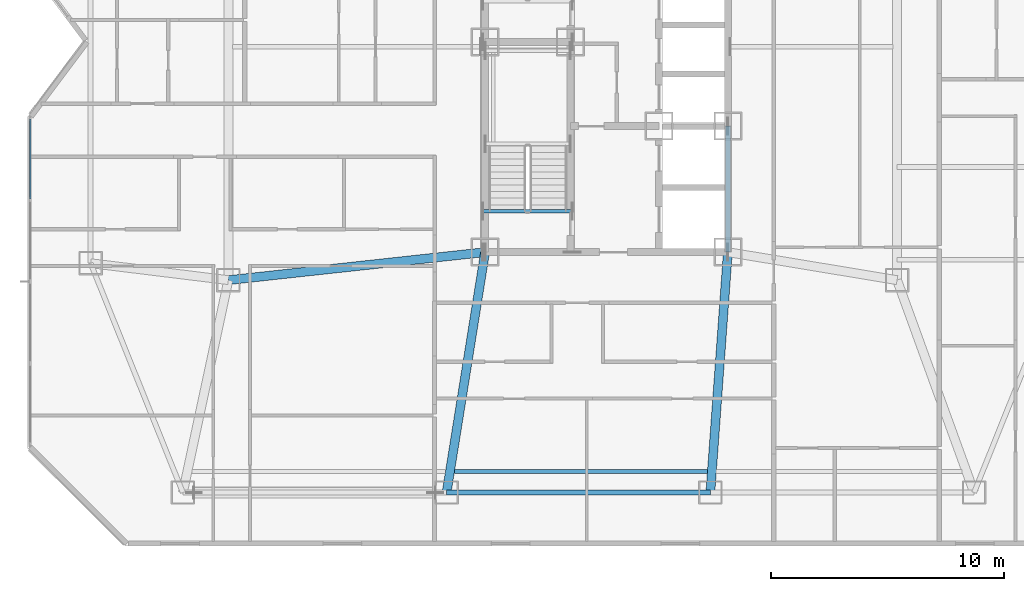
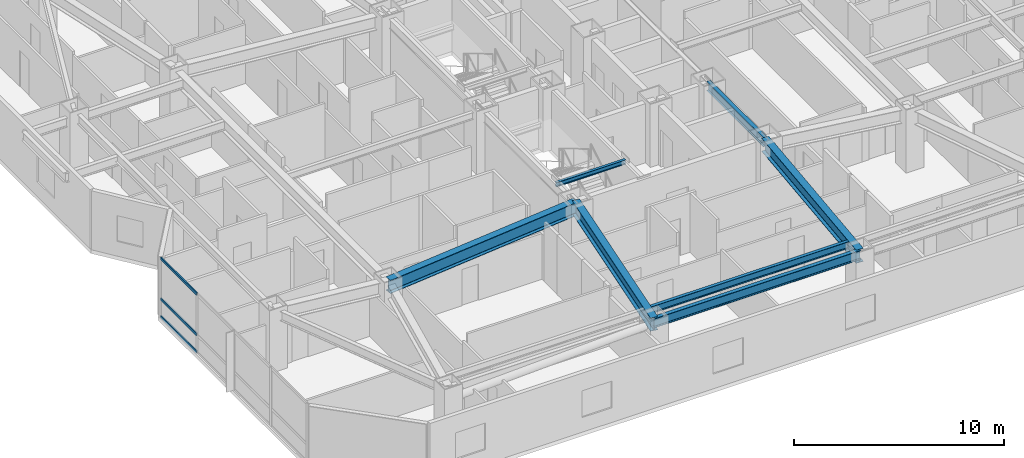
# One storey, part 5 of 19: 7 beams, 3 members, 1 element without a shape of its own.
"""IFC4 building model written with IfcOpenShell, lengths in metres."""

from ifc_helpers import new_model, si_unit, direction, frame, origin, origin_2d, place, context, subcontext, project, spatial, hollow_rectangle, i_section, extrude, material, material_profile, profile_set, type_object, element, aggregate, save


model = new_model("IFC4")

# Units and contexts
model_context = context("Model", 3, precision=1e-05, world=origin(), true_north=direction((0.0, 1.0)))
body_context = subcontext(model_context, "Body", "Model", "MODEL_VIEW")
ifc_project = project(units=[si_unit("LENGTHUNIT", "METRE"), si_unit("AREAUNIT", "SQUARE_METRE"), si_unit("VOLUMEUNIT", "CUBIC_METRE"), si_unit("PLANEANGLEUNIT", "RADIAN"), si_unit("MASSUNIT", "GRAM", prefix="KILO")], contexts=[model_context])

# Site, building, storey
site_placement = place(None, origin())
site = spatial("IfcSite", under=ifc_project, at=site_placement, CompositionType="ELEMENT")
building_placement = place(site_placement, origin())
building = spatial("IfcBuilding", under=site, at=building_placement, Name="Khamvora Tower", CompositionType="ELEMENT")
storey_placement = place(building_placement, frame((0.0, 0.0, 120.14990234375)))
storey = spatial("IfcBuildingStorey", under=building, at=storey_placement, Name="L30", CompositionType="ELEMENT", Elevation=120.14990234375)

# Beams
ifc_material_1 = material(Name="Steel S355", Category="steel")
ifc_material_profile_1 = material_profile(ifc_material_1, i_section(OverallWidth=0.177978515625, OverallDepth=0.406982421875, WebThickness=0.008056640625, FlangeThickness=0.012939453125, FilletRadius=0.010009765625, at=origin_2d()), Name="W410x60")
ifc_profile_set_1 = profile_set([ifc_material_profile_1], Name="Steel S355")
beam_type_1 = type_object("IfcBeamType", Name="BM-JS-W410x60", PredefinedType="JOIST", material=ifc_profile_set_1)
beam_1_placement = place(storey_placement, frame((27.681884765625, 9.60009765625, 3.22607421875), z_axis=(1.0, 0.0, 0.0), x_axis=(0.0, 1.0, 0.0)))
element("IfcBeam", 1, at=beam_1_placement, inside=storey, type_object=beam_type_1, Name="L30 secondary floor joist 02", PredefinedType="JOIST", context=body_context, shape_type="SweptSolid", body=[
    extrude(i_section(OverallWidth=0.177978515625, OverallDepth=0.406982421875, WebThickness=0.008056640625, FlangeThickness=0.012939453125, FilletRadius=0.010009765625, at=origin_2d()), origin(), (0.0, 0.0, 1.0), 10.84814453125),
])
ifc_material_profile_2 = material_profile(ifc_material_1, i_section(OverallWidth=0.14697265625, OverallDepth=0.261962890625, WebThickness=0.007080078125, FlangeThickness=0.010986328125, FilletRadius=0.008056640625, at=origin_2d()), Name="W250x39")
ifc_profile_set_2 = profile_set([ifc_material_profile_2], Name="Steel S355")
beam_type_2 = type_object("IfcBeamType", Name="BM-LN-W250x39", PredefinedType="LINTEL", material=ifc_profile_set_2)
beam_2_placement = place(storey_placement, frame((28.89990234375, 20.75, 3.30419921875), z_axis=(1.0, 0.0, 0.0), x_axis=(0.0, 1.0, 0.0)))
element("IfcBeam", 2, at=beam_2_placement, inside=storey, type_object=beam_type_2, Name="L30 exit stair ST-01 landing trimmer beam", PredefinedType="LINTEL", context=body_context, shape_type="SweptSolid", body=[
    extrude(i_section(OverallWidth=0.14697265625, OverallDepth=0.261962890625, WebThickness=0.007080078125, FlangeThickness=0.010986328125, FilletRadius=0.008056640625, at=origin_2d()), origin(), (0.0, 0.0, 1.0), 3.830078125),
])
ifc_material_profile_3 = material_profile(ifc_material_1, i_section(OverallWidth=0.381103515625, OverallDepth=0.77294921875, WebThickness=0.01708984375, FlangeThickness=0.027099609375, FilletRadius=0.01806640625, at=origin_2d()), Name="W760x257")
ifc_profile_set_3 = profile_set([ifc_material_profile_3], Name="Steel S355")
beam_type_3 = type_object("IfcBeamType", Name="BM-PG-W760x257", PredefinedType="BEAM", material=ifc_profile_set_3)
beam_3_placement = place(storey_placement, frame((29.0, 19.0, 3.044189453125), z_axis=(-0.158167584066, -0.987412282358, 0.0), x_axis=(0.987412282358, -0.158167584066, 0.0)))
element("IfcBeam", 3, at=beam_3_placement, inside=storey, type_object=beam_type_3, Name="L30 primary floor girder S2", PredefinedType="BEAM", context=body_context, shape_type="SweptSolid", body=[
    extrude(i_section(OverallWidth=0.381103515625, OverallDepth=0.77294921875, WebThickness=0.01708984375, FlangeThickness=0.027099609375, FilletRadius=0.01806640625, at=origin_2d()), origin(), (0.0, 0.0, 1.0), 10.431396484375),
])
beam_4_placement = place(storey_placement, frame((39.39990234375, 19.0, 3.044189453125), z_axis=(-0.07262291808, -0.997359469685, 0.0), x_axis=(0.997359469685, -0.07262291808, 0.0)))
element("IfcBeam", 4, at=beam_4_placement, inside=storey, type_object=beam_type_3, Name="L30 primary floor girder S3", PredefinedType="BEAM", context=body_context, shape_type="SweptSolid", body=[
    extrude(i_section(OverallWidth=0.381103515625, OverallDepth=0.77294921875, WebThickness=0.01708984375, FlangeThickness=0.027099609375, FilletRadius=0.01806640625, at=origin_2d()), origin(), (0.0, 0.0, 1.0), 10.327392578125),
])
beam_5_placement = place(storey_placement, frame((29.0, 19.0, 3.044189453125), z_axis=(-0.994102652327, -0.108443149329, 0.0), x_axis=(0.108443149329, -0.994102652327, 0.0)))
element("IfcBeam", 5, at=beam_5_placement, inside=storey, type_object=beam_type_3, Name="L30 primary floor girder MW1", PredefinedType="BEAM", context=body_context, shape_type="SweptSolid", body=[
    extrude(i_section(OverallWidth=0.381103515625, OverallDepth=0.77294921875, WebThickness=0.01708984375, FlangeThickness=0.027099609375, FilletRadius=0.01806640625, at=origin_2d()), origin(), (0.0, 0.0, 1.0), 11.065185546875),
])
ifc_material_profile_4 = material_profile(ifc_material_1, i_section(OverallWidth=0.2119140625, OverallDepth=0.5439453125, WebThickness=0.012939453125, FlangeThickness=0.02099609375, FilletRadius=0.013916015625, at=origin_2d()), Name="W530x123")
ifc_profile_set_4 = profile_set([ifc_material_profile_4], Name="Steel S355")
beam_type_4 = type_object("IfcBeamType", Name="BM-SP-W530x123", PredefinedType="SPANDREL", material=ifc_profile_set_4)
beam_6_placement = place(storey_placement, frame((27.35009765625, 8.699951171875, 3.158203125), z_axis=(1.0, 0.0, 0.0), x_axis=(0.0, 1.0, 0.0)))
element("IfcBeam", 6, at=beam_6_placement, inside=storey, type_object=beam_type_4, Name="L30 perimeter spandrel beam S2-S3", PredefinedType="SPANDREL", context=body_context, shape_type="SweptSolid", body=[
    extrude(i_section(OverallWidth=0.2119140625, OverallDepth=0.5439453125, WebThickness=0.012939453125, FlangeThickness=0.02099609375, FilletRadius=0.013916015625, at=origin_2d()), origin(), (0.0, 0.0, 1.0), 11.2998046875),
])
ifc_material_profile_5 = material_profile(ifc_material_1, i_section(OverallWidth=0.208984375, OverallDepth=0.532958984375, WebThickness=0.010009765625, FlangeThickness=0.01611328125, FilletRadius=0.013916015625, at=origin_2d()), Name="W530x92")
ifc_profile_set_5 = profile_set([ifc_material_profile_5], Name="Steel S355")
beam_type_5 = type_object("IfcBeamType", Name="BM-SP-W530x92", PredefinedType="SPANDREL", material=ifc_profile_set_5)
beam_7_placement = place(storey_placement, frame((39.39990234375, 19.0, 3.1640625), z_axis=(0.0, 1.0, 0.0), x_axis=(-1.0, 0.0, 0.0)))
element("IfcBeam", 7, at=beam_7_placement, inside=storey, type_object=beam_type_5, Name="L30 core spine girder ES", PredefinedType="SPANDREL", context=body_context, shape_type="SweptSolid", body=[
    extrude(i_section(OverallWidth=0.208984375, OverallDepth=0.532958984375, WebThickness=0.010009765625, FlangeThickness=0.01611328125, FilletRadius=0.013916015625, at=origin_2d()), origin(), (0.0, 0.0, 1.0), 5.39990234375),
])

# Curtain wall, members
ifc_material_2 = material(Name="Anodised Aluminium 6063-T6", Category="aluminium")
curtain_wall_type = type_object("IfcCurtainWallType", Name="CW-SYS-03", PredefinedType="NOTDEFINED", material=ifc_material_2)
curtain_wall_placement = place(storey_placement, origin())
curtain_wall = element("IfcCurtainWall", 8, at=curtain_wall_placement, inside=storey, type_object=curtain_wall_type, Name="L30 stick curtain wall 02.1", PredefinedType="NOTDEFINED")
ifc_material_profile_6 = material_profile(ifc_material_2, hollow_rectangle(XDim=0.06494140625, YDim=0.155029296875, WallThickness=0.0048828125, at=origin_2d()), Name="TRN65x155x5")
ifc_profile_set_6 = profile_set([ifc_material_profile_6], Name="Anodised Aluminium 6063-T6")
member_type = type_object("IfcMemberType", Name="CW-SYS-03-TRN", PredefinedType="USERDEFINED", material=ifc_profile_set_6)
member_1_placement = place(storey_placement, frame((9.510009765625, 21.283935546875, 0.03271484375), z_axis=(0.0, 1.0, 0.0), x_axis=(-1.0, 0.0, 0.0)))
member_1 = element("IfcMember", 9, at=member_1_placement, type_object=member_type, Name="CW-03 transom 4.1", ObjectType="TRANSOM", PredefinedType="USERDEFINED", context=body_context, shape_type="SweptSolid", body=[
    extrude(hollow_rectangle(XDim=0.06494140625, YDim=0.155029296875, WallThickness=0.0048828125, at=origin_2d()), origin(), (0.0, 0.0, 1.0), 3.4140625),
])
member_2_placement = place(storey_placement, frame((9.510009765625, 21.283935546875, 1.050048828125), z_axis=(0.0, 1.0, 0.0), x_axis=(-1.0, 0.0, 0.0)))
member_2 = element("IfcMember", 10, at=member_2_placement, type_object=member_type, Name="CW-03 transom 4.2", ObjectType="TRANSOM", PredefinedType="USERDEFINED", context=body_context, shape_type="SweptSolid", body=[
    extrude(hollow_rectangle(XDim=0.06494140625, YDim=0.155029296875, WallThickness=0.0048828125, at=origin_2d()), origin(), (0.0, 0.0, 1.0), 3.4140625),
])
member_3_placement = place(storey_placement, frame((9.510009765625, 21.283935546875, 3.397705078125), z_axis=(0.0, 1.0, 0.0), x_axis=(-1.0, 0.0, 0.0)))
member_3 = element("IfcMember", 11, at=member_3_placement, type_object=member_type, Name="CW-03 transom 4.3", ObjectType="TRANSOM", PredefinedType="USERDEFINED", context=body_context, shape_type="SweptSolid", body=[
    extrude(hollow_rectangle(XDim=0.06494140625, YDim=0.155029296875, WallThickness=0.0048828125, at=origin_2d()), origin(), (0.0, 0.0, 1.0), 3.4140625),
])
aggregate(curtain_wall, [member_1, member_2, member_3])

save(model, "model.ifc")
